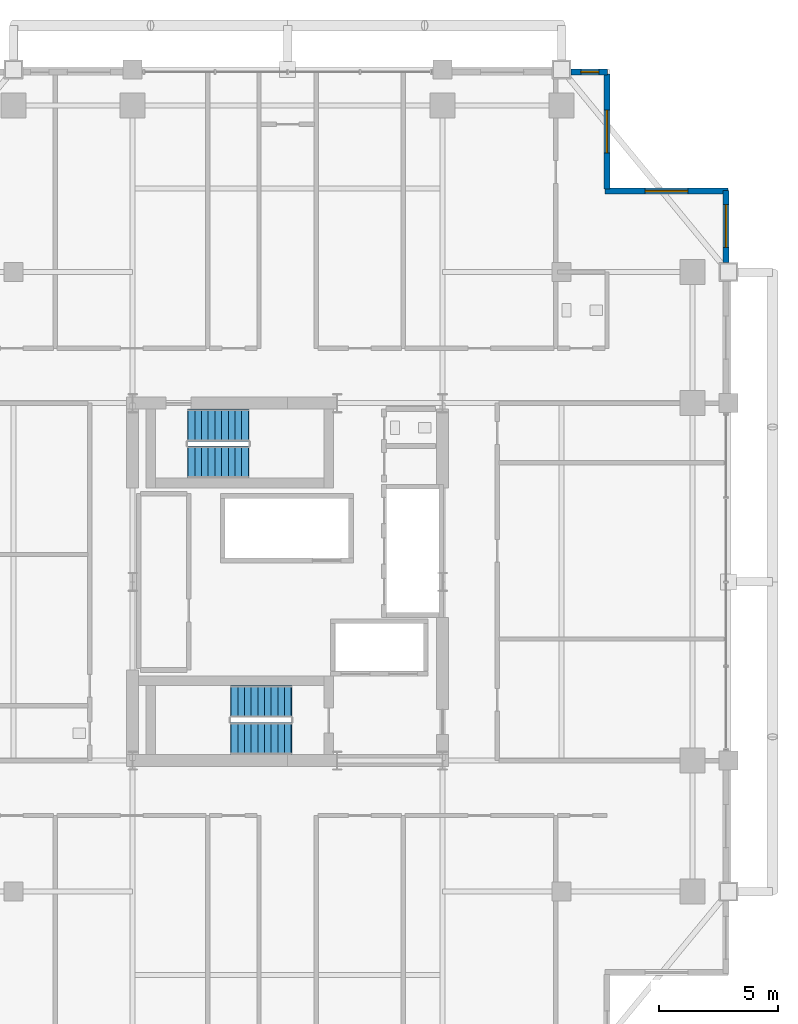
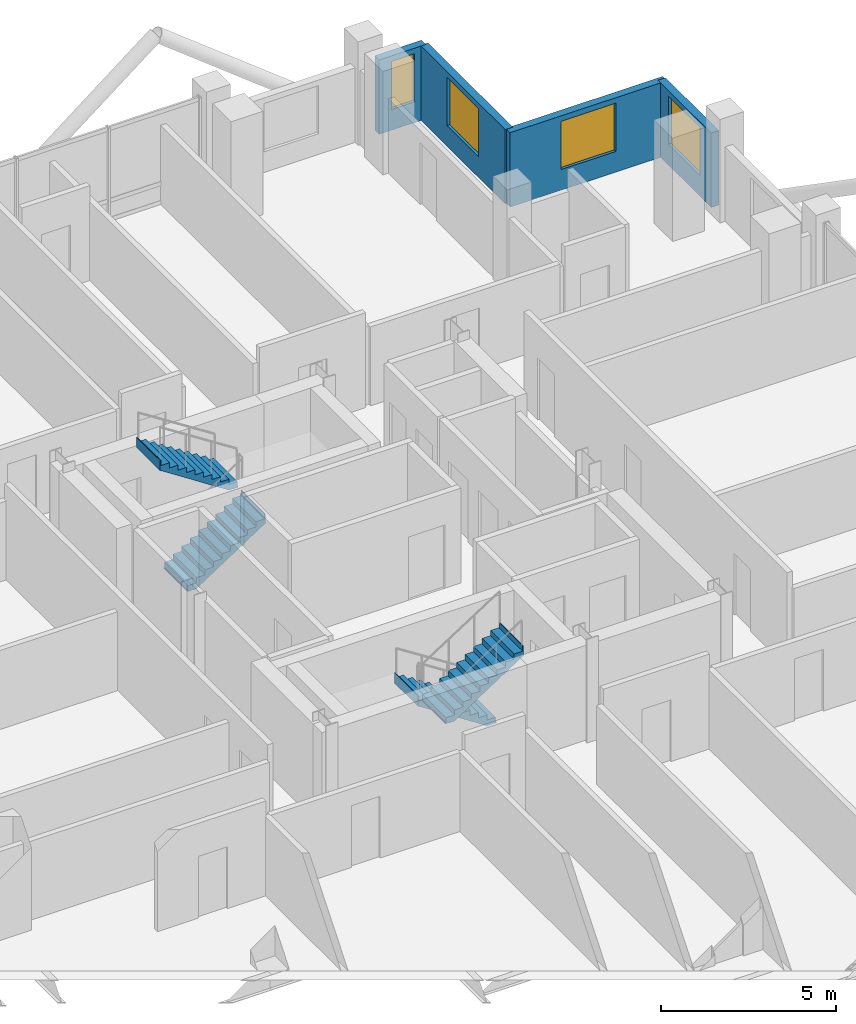
# One storey, part 23 of 25: 4 stair flights, 4 walls, 4 windows, 4 openings, 2 elements without a shape of their own.
"""IFC4 building model written with IfcOpenShell, lengths in metres."""

from ifc_helpers import new_model, si_unit, direction, frame, frame_2d, origin, place, context, subcontext, project, spatial, polyline, rectangle, outline, extrude, material, layer, layer_set, type_object, element, fill, aggregate, save


model = new_model("IFC4")

# Units and contexts
model_context = context("Model", 3, precision=1e-05, world=origin(), true_north=direction((0.0, 1.0)))
body_context = subcontext(model_context, "Body", "Model", "MODEL_VIEW")
ifc_project = project(units=[si_unit("LENGTHUNIT", "METRE"), si_unit("AREAUNIT", "SQUARE_METRE"), si_unit("VOLUMEUNIT", "CUBIC_METRE"), si_unit("PLANEANGLEUNIT", "RADIAN"), si_unit("MASSUNIT", "GRAM", prefix="KILO")], contexts=[model_context])

# Site, building, storey
site_placement = place(None, origin())
site = spatial("IfcSite", under=ifc_project, at=site_placement, CompositionType="ELEMENT")
building_placement = place(site_placement, origin())
building = spatial("IfcBuilding", under=site, at=building_placement, Name="Barlavira Tower and Art Museum", CompositionType="ELEMENT")
storey_placement = place(building_placement, frame((0.0, 0.0, 208.800048828125)))
storey = spatial("IfcBuildingStorey", under=building, at=storey_placement, Name="L54", CompositionType="ELEMENT", Elevation=208.800048828125)

# Wall, opening, window
ifc_material_1 = material(Name="Precast concrete C40", Category="concrete")
ifc_layer = layer(ifc_material_1, 0.25, Name="Precast concrete C40")
ifc_layer_set = layer_set([ifc_layer], Name="Precast concrete C40")
wall_type = type_object("IfcWallType", Name="Notched Corner Spandrel Wall 250 Precast Concrete C40", PredefinedType="SOLIDWALL", material=ifc_layer_set)
wall_1_placement = place(storey_placement, frame((13.425048828125, 21.39990234375, 0.0), z_axis=(0.0, 0.0, 1.0), x_axis=(-1.0, 0.0, 0.0)))
wall_1 = element("IfcWall", 1, at=wall_1_placement, inside=storey, type_object=wall_type, Name="L54 Coastal Facade Pier Wall CW3-L54-N-1", PredefinedType="SOLIDWALL", context=body_context, shape_type="SweptSolid", body=[
    extrude(rectangle(XDim=1.530029296875, YDim=0.25, at=frame_2d((0.76513671875, 0.0))), origin(), (0.0, 0.0, 1.0), 2.58984375),
])
opening_1_placement = place(wall_1_placement, frame((0.363037109375, 0.0, 0.719970703125)))
opening_1 = element("IfcOpeningElement", 2, at=opening_1_placement, cuts=wall_1, Name="Opening WN-06", PredefinedType="OPENING", context=body_context, shape_type="SweptSolid", body=[
    extrude(rectangle(XDim=0.760009765625, YDim=1.679931640625, at=frame_2d((0.3798828125, 0.83984375))), frame((0.0, 0.135009765625, 0.0), z_axis=(0.0, -1.0, 0.0), x_axis=(1.0, 0.0, 0.0)), (0.0, 0.0, 1.0), 0.27001953125),
])
ifc_material_2 = material(Name="Low-iron coastal laminated glass", Category="glass")
window_type_1 = type_object("IfcWindowType", Name="Recessed Narrow Pier Window 760x1680", PartitioningType="SINGLE_PANEL", PredefinedType="WINDOW", material=ifc_material_2)
window_1_placement = place(opening_1_placement, origin())
window_1 = element("IfcWindow", 3, at=window_1_placement, inside=storey, type_object=window_type_1, Name="L54 Punched Facade Window EWP-CW3-L54-N-1-1", OverallHeight=1.679931640625, OverallWidth=0.760009765625, PartitioningType="SINGLE_PANEL", PredefinedType="WINDOW", context=body_context, shape_type="SweptSolid", body=[
    extrude(rectangle(XDim=0.760009765625, YDim=1.679931640625, at=frame_2d((0.3798828125, 0.83984375))), frame((0.0, 0.030029296875, 0.0), z_axis=(0.0, -1.0, 0.0), x_axis=(1.0, 0.0, 0.0)), (0.0, 0.0, 1.0), 0.06005859375),
])
fill(opening_1, window_1)

wall_2_placement = place(storey_placement, frame((18.39990234375, 13.39501953125, 0.0), z_axis=(0.0, 0.0, 1.0), x_axis=(0.0, 1.0, 0.0)))
wall_2 = element("IfcWall", 4, at=wall_2_placement, inside=storey, type_object=wall_type, Name="L54 Coastal Facade Pier Wall CW3-L54-E-5", PredefinedType="SOLIDWALL", context=body_context, shape_type="SweptSolid", body=[
    extrude(rectangle(XDim=3.030029296875, YDim=0.25, at=frame_2d((1.51513671875, 0.0))), origin(), (0.0, 0.0, 1.0), 2.58984375),
])
opening_2_placement = place(wall_2_placement, frame((0.637939453125, 0.0, 0.719970703125)))
opening_2 = element("IfcOpeningElement", 5, at=opening_2_placement, cuts=wall_2, Name="Opening WN-01", PredefinedType="OPENING", context=body_context, shape_type="SweptSolid", body=[
    extrude(rectangle(XDim=1.800048828125, YDim=1.679931640625, at=frame_2d((0.89990234375, 0.83984375))), frame((0.0, 0.135009765625, 0.0), z_axis=(0.0, -1.0, 0.0), x_axis=(1.0, 0.0, 0.0)), (0.0, 0.0, 1.0), 0.27001953125),
])
window_type_2 = type_object("IfcWindowType", Name="Recessed Notch Corner Punch Window 1800x1680", PartitioningType="SINGLE_PANEL", PredefinedType="WINDOW", material=ifc_material_2)
window_2_placement = place(opening_2_placement, origin())
window_2 = element("IfcWindow", 6, at=window_2_placement, inside=storey, type_object=window_type_2, Name="L54 Punched Facade Window EWP-CW3-L54-E-5-1", OverallHeight=1.679931640625, OverallWidth=1.800048828125, PartitioningType="SINGLE_PANEL", PredefinedType="WINDOW", context=body_context, shape_type="SweptSolid", body=[
    extrude(rectangle(XDim=1.800048828125, YDim=1.679931640625, at=frame_2d((0.89990234375, 0.83984375))), frame((0.0, 0.030029296875, 0.0), z_axis=(0.0, -1.0, 0.0), x_axis=(1.0, 0.0, 0.0)), (0.0, 0.0, 1.0), 0.06005859375),
])
fill(opening_2, window_2)

wall_3_placement = place(storey_placement, frame((18.47998046875, 16.39990234375, 0.0), z_axis=(0.0, 0.0, 1.0), x_axis=(-1.0, 0.0, 0.0)))
wall_3 = element("IfcWall", 7, at=wall_3_placement, inside=storey, type_object=wall_type, Name="L54 Notch Corner Wall NE1", PredefinedType="SOLIDWALL", context=body_context, shape_type="SweptSolid", body=[
    extrude(rectangle(XDim=5.159912109375, YDim=0.25, at=frame_2d((2.580078125, 0.0))), origin(), (0.0, 0.0, 1.0), 2.58984375),
])
opening_3_placement = place(wall_3_placement, frame((1.679931640625, 0.0, 0.719970703125)))
opening_3 = element("IfcOpeningElement", 8, at=opening_3_placement, cuts=wall_3, Name="Opening WN-01", PredefinedType="OPENING", context=body_context, shape_type="SweptSolid", body=[
    extrude(rectangle(XDim=1.800048828125, YDim=1.679931640625, at=frame_2d((0.89990234375, 0.83984375))), frame((0.0, 0.135009765625, 0.0), z_axis=(0.0, -1.0, 0.0), x_axis=(1.0, 0.0, 0.0)), (0.0, 0.0, 1.0), 0.27001953125),
])
window_3_placement = place(opening_3_placement, origin())
window_3 = element("IfcWindow", 9, at=window_3_placement, inside=storey, type_object=window_type_2, Name="L54 Punched Facade Window EW-NTC-L54-NE1-1", OverallHeight=1.679931640625, OverallWidth=1.800048828125, PartitioningType="SINGLE_PANEL", PredefinedType="WINDOW", context=body_context, shape_type="SweptSolid", body=[
    extrude(rectangle(XDim=1.800048828125, YDim=1.679931640625, at=frame_2d((0.89990234375, 0.83984375))), frame((0.0, 0.030029296875, 0.0), z_axis=(0.0, -1.0, 0.0), x_axis=(1.0, 0.0, 0.0)), (0.0, 0.0, 1.0), 0.06005859375),
])
fill(opening_3, window_3)

wall_4_placement = place(storey_placement, frame((13.39990234375, 16.47998046875, 0.0), z_axis=(0.0, 0.0, 1.0), x_axis=(0.0, 1.0, 0.0)))
wall_4 = element("IfcWall", 10, at=wall_4_placement, inside=storey, type_object=wall_type, Name="L54 Notch Corner Wall NE2", PredefinedType="SOLIDWALL", context=body_context, shape_type="SweptSolid", body=[
    extrude(rectangle(XDim=4.840087890625, YDim=0.25, at=frame_2d((2.419921875, 0.0))), origin(), (0.0, 0.0, 1.0), 2.58984375),
])
opening_4_placement = place(wall_4_placement, frame((1.52001953125, 0.0, 0.719970703125)))
opening_4 = element("IfcOpeningElement", 11, at=opening_4_placement, cuts=wall_4, Name="Opening WN-01", PredefinedType="OPENING", context=body_context, shape_type="SweptSolid", body=[
    extrude(rectangle(XDim=1.800048828125, YDim=1.679931640625, at=frame_2d((0.89990234375, 0.83984375))), frame((0.0, 0.135009765625, 0.0), z_axis=(0.0, -1.0, 0.0), x_axis=(1.0, 0.0, 0.0)), (0.0, 0.0, 1.0), 0.27001953125),
])
window_4_placement = place(opening_4_placement, origin())
window_4 = element("IfcWindow", 12, at=window_4_placement, inside=storey, type_object=window_type_2, Name="L54 Punched Facade Window EW-NTC-L54-NE2-1", OverallHeight=1.679931640625, OverallWidth=1.800048828125, PartitioningType="SINGLE_PANEL", PredefinedType="WINDOW", context=body_context, shape_type="SweptSolid", body=[
    extrude(rectangle(XDim=1.800048828125, YDim=1.679931640625, at=frame_2d((0.89990234375, 0.83984375))), frame((0.0, 0.030029296875, 0.0), z_axis=(0.0, -1.0, 0.0), x_axis=(1.0, 0.0, 0.0)), (0.0, 0.0, 1.0), 0.06005859375),
])
fill(opening_4, window_4)

# Stair, stair flights
ifc_material_3 = material(Name="Concrete C45", Category="concrete")
stair_type_1 = type_object("IfcStairType", Name="Tower North Dog-Leg Exit Stair Assembly Concrete C45", PredefinedType="TWO_QUARTER_TURN_STAIR", material=ifc_material_3)
stair_1_placement = place(storey_placement, origin())
stair_1 = element("IfcStair", 13, at=stair_1_placement, inside=storey, type_object=stair_type_1, Name="L54 Tower North Exit Stair ST-T2", PredefinedType="TWO_QUARTER_TURN_STAIR")
ifc_material_4 = material(Name="Precast concrete C45", Category="concrete")
stair_flight_type_1 = type_object("IfcStairFlightType", Name="Tower North Dog-Leg Exit Stair Precast Flight 1350 Concrete C45", PredefinedType="STRAIGHT", material=ifc_material_4)
stair_flight_1_placement = place(storey_placement, frame((-4.169921875, 5.02490234375, 0.0), z_axis=(0.0, 0.0, 1.0), x_axis=(1.0, 0.0, 0.0)))
stair_flight_1 = element("IfcStairFlight", 14, at=stair_flight_1_placement, type_object=stair_flight_type_1, Name="ST-T2 flight 1", NumberOfRisers=10, NumberOfTreads=9, PredefinedType="STRAIGHT", RiserHeight=0.18, TreadLength=0.28, context=body_context, shape_type="SweptSolid", body=[
    extrude(outline(polyline([(-0.02490234375, 0.0), (0.0, 0.0), (0.0, 0.179931640625), (0.280029296875, 0.179931640625), (0.280029296875, 0.360107421875), (0.56005859375, 0.360107421875), (0.56005859375, 0.5400390625), (0.840087890625, 0.5400390625), (0.840087890625, 0.719970703125), (1.1201171875, 0.719970703125), (1.1201171875, 0.89990234375), (1.39990234375, 0.89990234375), (1.39990234375, 1.080078125), (1.679931640625, 1.080078125), (1.679931640625, 1.260009765625), (1.9599609375, 1.260009765625), (1.9599609375, 1.43994140625), (2.239990234375, 1.43994140625), (2.239990234375, 1.6201171875), (2.52001953125, 1.6201171875), (2.52001953125, 1.800048828125), (2.544921875, 1.800048828125), (2.544921875, 1.44189453125), (2.52001953125, 1.44189453125), (0.277099609375, -0.02490234375), (-0.02490234375, -0.02490234375), (-0.02490234375, 0.0)])), frame((0.0, 0.675048828125, 0.0), z_axis=(0.0, -1.0, 0.0), x_axis=(1.0, 0.0, 0.0)), (0.0, 0.0, 1.0), 1.35009765625),
])
stair_flight_2_placement = place(storey_placement, frame((-1.64990234375, 6.574951171875, 1.800048828125), z_axis=(0.0, 0.0, 1.0), x_axis=(-1.0, 0.0, 0.0)))
stair_flight_2 = element("IfcStairFlight", 15, at=stair_flight_2_placement, type_object=stair_flight_type_1, Name="ST-T2 flight 2", NumberOfRisers=10, NumberOfTreads=9, PredefinedType="STRAIGHT", RiserHeight=0.18, TreadLength=0.28, context=body_context, shape_type="SweptSolid", body=[
    extrude(outline(polyline([(-0.02490234375, 0.0), (0.0, 0.0), (0.0, 0.179931640625), (0.280029296875, 0.179931640625), (0.280029296875, 0.360107421875), (0.56005859375, 0.360107421875), (0.56005859375, 0.5400390625), (0.840087890625, 0.5400390625), (0.840087890625, 0.719970703125), (1.1201171875, 0.719970703125), (1.1201171875, 0.89990234375), (1.39990234375, 0.89990234375), (1.39990234375, 1.080078125), (1.679931640625, 1.080078125), (1.679931640625, 1.260009765625), (1.9599609375, 1.260009765625), (1.9599609375, 1.43994140625), (2.239990234375, 1.43994140625), (2.239990234375, 1.6201171875), (2.52001953125, 1.6201171875), (2.52001953125, 1.800048828125), (2.544921875, 1.800048828125), (2.544921875, 1.44189453125), (2.52001953125, 1.44189453125), (0.277099609375, -0.02490234375), (-0.02490234375, -0.02490234375), (-0.02490234375, 0.0)])), frame((0.0, 0.675048828125, 0.0), z_axis=(0.0, -1.0, 0.0), x_axis=(1.0, 0.0, 0.0)), (0.0, 0.0, 1.0), 1.35009765625),
])
aggregate(stair_1, [stair_flight_1, stair_flight_2])

stair_type_2 = type_object("IfcStairType", Name="Tower South Dog-Leg Exit Stair Assembly Concrete C45", PredefinedType="TWO_QUARTER_TURN_STAIR", material=ifc_material_3)
stair_2_placement = place(storey_placement, origin())
stair_2 = element("IfcStair", 16, at=stair_2_placement, inside=storey, type_object=stair_type_2, Name="L54 Tower South Exit Stair ST-T1", PredefinedType="TWO_QUARTER_TURN_STAIR")
stair_flight_type_2 = type_object("IfcStairFlightType", Name="Tower South Dog-Leg Exit Stair Precast Flight 1350 Concrete C45", PredefinedType="STRAIGHT", material=ifc_material_4)
stair_flight_3_placement = place(storey_placement, frame((0.14990234375, -5.02490234375, 0.0), z_axis=(0.0, 0.0, 1.0), x_axis=(-1.0, 0.0, 0.0)))
stair_flight_3 = element("IfcStairFlight", 17, at=stair_flight_3_placement, type_object=stair_flight_type_2, Name="ST-T1 flight 1", NumberOfRisers=10, NumberOfTreads=9, PredefinedType="STRAIGHT", RiserHeight=0.18, TreadLength=0.28, context=body_context, shape_type="SweptSolid", body=[
    extrude(outline(polyline([(-0.02490234375, 0.0), (0.0, 0.0), (0.0, 0.179931640625), (0.280029296875, 0.179931640625), (0.280029296875, 0.360107421875), (0.56005859375, 0.360107421875), (0.56005859375, 0.5400390625), (0.840087890625, 0.5400390625), (0.840087890625, 0.719970703125), (1.1201171875, 0.719970703125), (1.1201171875, 0.89990234375), (1.39990234375, 0.89990234375), (1.39990234375, 1.080078125), (1.679931640625, 1.080078125), (1.679931640625, 1.260009765625), (1.9599609375, 1.260009765625), (1.9599609375, 1.43994140625), (2.239990234375, 1.43994140625), (2.239990234375, 1.6201171875), (2.52001953125, 1.6201171875), (2.52001953125, 1.800048828125), (2.544921875, 1.800048828125), (2.544921875, 1.44189453125), (2.52001953125, 1.44189453125), (0.277099609375, -0.02490234375), (-0.02490234375, -0.02490234375), (-0.02490234375, 0.0)])), frame((0.0, 0.675048828125, 0.0), z_axis=(0.0, -1.0, 0.0), x_axis=(1.0, 0.0, 0.0)), (0.0, 0.0, 1.0), 1.35009765625),
])
stair_flight_4_placement = place(storey_placement, frame((-2.3701171875, -6.574951171875, 1.800048828125), z_axis=(0.0, 0.0, 1.0), x_axis=(1.0, 0.0, 0.0)))
stair_flight_4 = element("IfcStairFlight", 18, at=stair_flight_4_placement, type_object=stair_flight_type_2, Name="ST-T1 flight 2", NumberOfRisers=10, NumberOfTreads=9, PredefinedType="STRAIGHT", RiserHeight=0.18, TreadLength=0.28, context=body_context, shape_type="SweptSolid", body=[
    extrude(outline(polyline([(-0.02490234375, 0.0), (0.0, 0.0), (0.0, 0.179931640625), (0.280029296875, 0.179931640625), (0.280029296875, 0.360107421875), (0.56005859375, 0.360107421875), (0.56005859375, 0.5400390625), (0.840087890625, 0.5400390625), (0.840087890625, 0.719970703125), (1.1201171875, 0.719970703125), (1.1201171875, 0.89990234375), (1.39990234375, 0.89990234375), (1.39990234375, 1.080078125), (1.679931640625, 1.080078125), (1.679931640625, 1.260009765625), (1.9599609375, 1.260009765625), (1.9599609375, 1.43994140625), (2.239990234375, 1.43994140625), (2.239990234375, 1.6201171875), (2.52001953125, 1.6201171875), (2.52001953125, 1.800048828125), (2.544921875, 1.800048828125), (2.544921875, 1.44189453125), (2.52001953125, 1.44189453125), (0.277099609375, -0.02490234375), (-0.02490234375, -0.02490234375), (-0.02490234375, 0.0)])), frame((0.0, 0.675048828125, 0.0), z_axis=(0.0, -1.0, 0.0), x_axis=(1.0, 0.0, 0.0)), (0.0, 0.0, 1.0), 1.35009765625),
])
aggregate(stair_2, [stair_flight_3, stair_flight_4])

save(model, "model.ifc")
